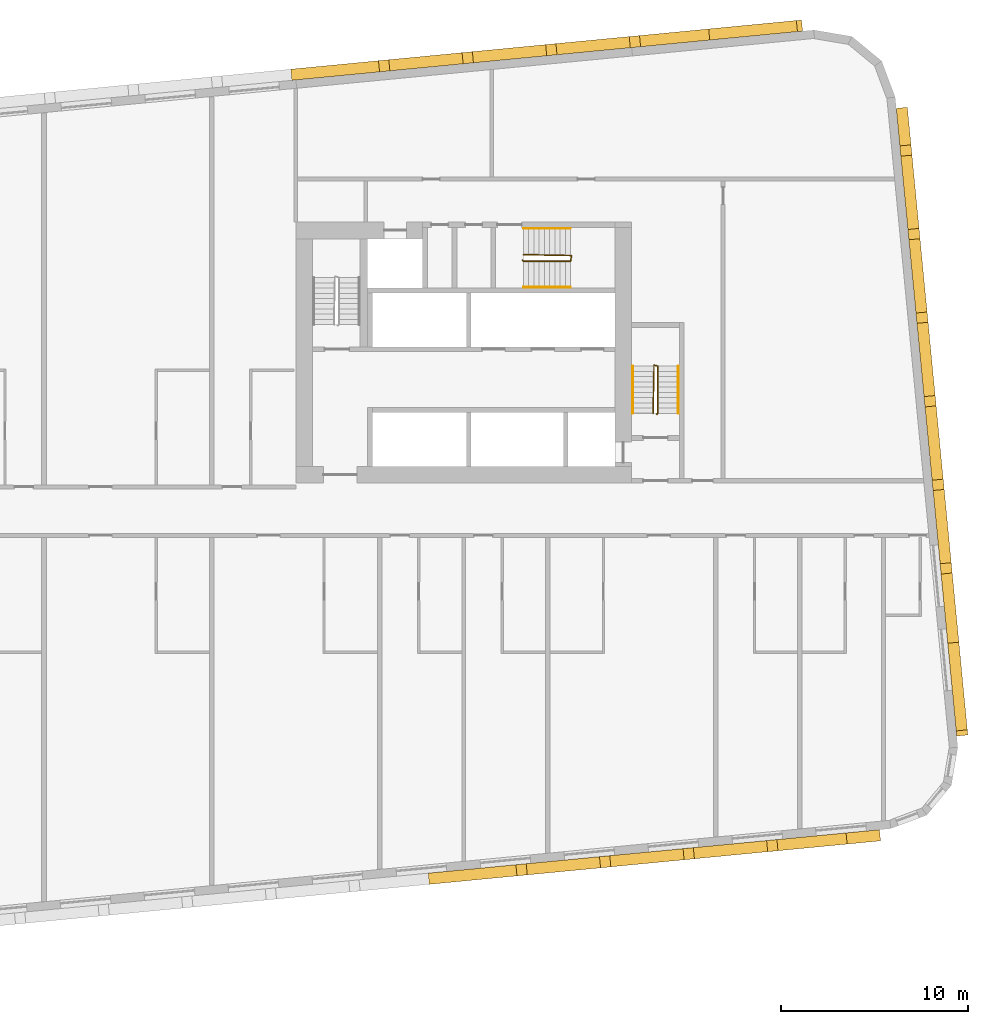
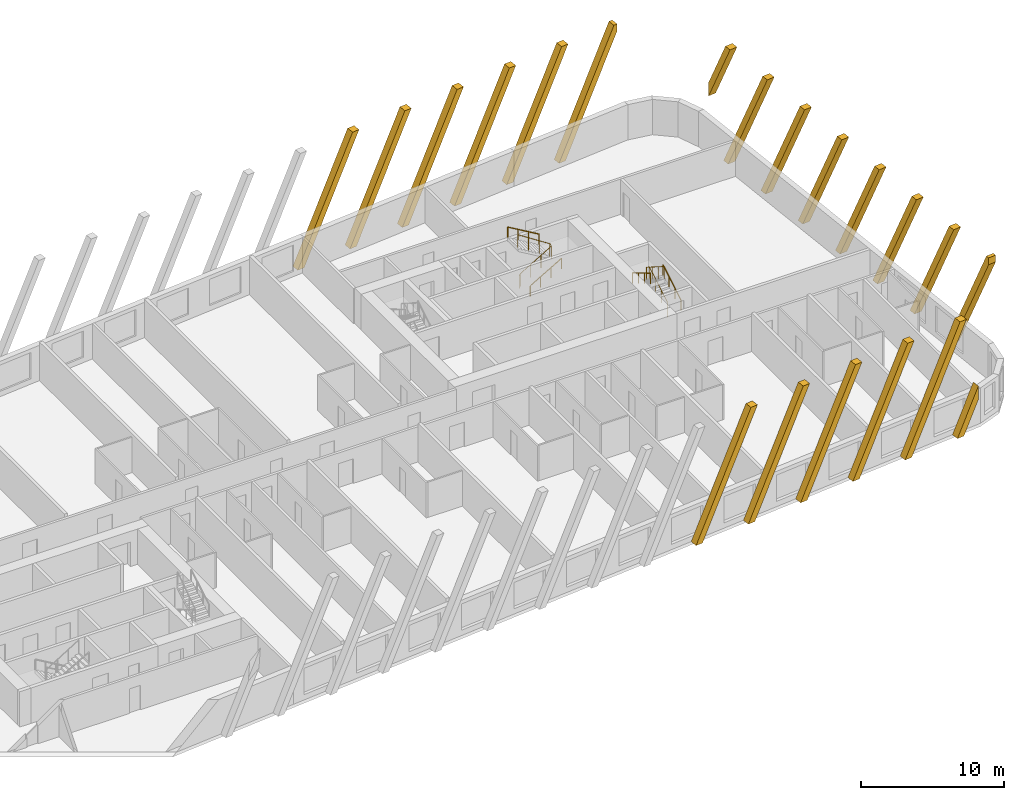
# One storey, part 13 of 13: 20 coverings, 6 railings.
"""IFC4 building model written with IfcOpenShell, lengths in metres."""

import ifcopenshell
import ifcopenshell.guid

model = None  # the IFC model being written
_history = None  # IfcOwnerHistory: only IFC2X3 demands one
_inside = {}  # id of a spatial element -> (the spatial element, [elements in it])
_under = {}  # id of a project, library or spatial element -> (it, [spatial elements below it])
_declared = {}  # id of a project -> (the project, [libraries it declares])
_typed = {}  # id of a type object -> (the type object, [elements of that type])
_made_of = {}  # id of a material, layer set ... -> (it, [elements and type objects made of it])


def new_model(schema):
    """Start an empty IFC model of exactly this schema.

    Asked for "IFC4X3", IfcOpenShell would pick the latest addendum, in which some entities
    have other attributes; the version numbers below select the first issue.
    IFC2X3 requires an IfcOwnerHistory on every rooted entity: one is made here for all.
    """
    global model, _history
    if schema == "IFC4X3":
        model = ifcopenshell.file(schema_version=(4, 3, 0, 0))
    else:
        model = ifcopenshell.file(schema=schema)
    _inside.clear()
    _under.clear()
    _declared.clear()
    _typed.clear()
    _made_of.clear()
    _history = None
    if model.schema == "IFC2X3":
        org = make("IfcOrganization", Name="unknown")
        user = make(
            "IfcPersonAndOrganization",
            ThePerson=make("IfcPerson", FamilyName="unknown"),
            TheOrganization=org,
        )
        app = make(
            "IfcApplication",
            ApplicationDeveloper=org,
            Version="unknown",
            ApplicationFullName="unknown",
            ApplicationIdentifier="unknown",
        )
        _history = make(
            "IfcOwnerHistory",
            OwningUser=user,
            OwningApplication=app,
            ChangeAction="ADDED",
            CreationDate=0,
        )
    return model


def make(cls, **values):
    """One entity of the class cls with the attributes given. An attribute that is None is left unset."""
    return model.create_entity(
        cls, **{name: value for name, value in values.items() if value is not None}
    )


def rooted(cls, **values):
    """An entity with a GlobalId (a new one), such as an element, a storey or a relation."""
    return make(cls, GlobalId=ifcopenshell.guid.new(), OwnerHistory=_history, **values)


def si_unit(unit_type, name, prefix=None):
    """IfcSIUnit, for example si_unit("LENGTHUNIT", "METRE", prefix="MILLI")."""
    return make("IfcSIUnit", UnitType=unit_type, Prefix=prefix, Name=name)


def assignment(units):
    """IfcUnitAssignment: the units of a project."""
    return None if units is None else make("IfcUnitAssignment", Units=units)


def point(xyz):
    """IfcCartesianPoint."""
    return None if xyz is None else make("IfcCartesianPoint", Coordinates=xyz)


def direction(xyz):
    """IfcDirection."""
    return None if xyz is None else make("IfcDirection", DirectionRatios=xyz)


def frame(location, z_axis=None, x_axis=None):
    """IfcAxis2Placement3D, a coordinate frame: its origin and axes. An axis left out is left unset."""
    return make(
        "IfcAxis2Placement3D",
        Location=point(location),
        Axis=direction(z_axis),
        RefDirection=direction(x_axis),
    )


def frame_2d(location, x_axis=None):
    """IfcAxis2Placement2D, a coordinate frame in the plane: its origin and x axis."""
    return make(
        "IfcAxis2Placement2D", Location=point(location), RefDirection=direction(x_axis)
    )


def origin():
    """The frame at (0, 0, 0) with its axes left unset."""
    return frame((0.0, 0.0, 0.0))


def origin_2d():
    """The frame at (0, 0) in the plane with its x axis left unset."""
    return frame_2d((0.0, 0.0))


def place(relative_to, where):
    """IfcLocalPlacement: puts the frame where relative to a parent placement (None: the world)."""
    return make(
        "IfcLocalPlacement", PlacementRelTo=relative_to, RelativePlacement=where
    )


def context(
    kind, dimensions, precision=None, world=None, true_north=None, identifier=None
):
    """IfcGeometricRepresentationContext, for example the 3D "Model" context."""
    return make(
        "IfcGeometricRepresentationContext",
        ContextIdentifier=identifier,
        ContextType=kind,
        CoordinateSpaceDimension=dimensions,
        Precision=precision,
        WorldCoordinateSystem=world,
        TrueNorth=true_north,
    )


def subcontext(parent, identifier, kind, view, scale=None):
    """IfcGeometricRepresentationSubContext, for example "Body" below "Model"."""
    return make(
        "IfcGeometricRepresentationSubContext",
        ContextIdentifier=identifier,
        ContextType=kind,
        ParentContext=parent,
        TargetScale=scale,
        TargetView=view,
    )


def project(units=None, contexts=None):
    """IfcProject with its units and contexts."""
    return rooted(
        "IfcProject",
        Name="project",
        RepresentationContexts=contexts,
        UnitsInContext=assignment(units),
    )


def spatial(cls, under=None, at=None, **own):
    """A site, building, storey or space (cls), placed at a placement, below another one or the project."""
    s = rooted(cls, ObjectPlacement=at, **own)
    if under is not None:
        _under.setdefault(under.id(), (under, []))[1].append(s)
    return s


def polyline(points):
    """IfcPolyline through the points."""
    return make("IfcPolyline", Points=[point(p) for p in points])


def profile(cls, at=None, kind="AREA", **sizes):
    """A parametric profile (cls). Its sizes go by their IFC names, for example OverallWidth=200.0."""
    return make(cls, ProfileType=kind, Position=at, **sizes)


def rectangle(**sizes):
    """IfcRectangleProfileDef."""
    return profile("IfcRectangleProfileDef", **sizes)


def circle(**sizes):
    """IfcCircleProfileDef."""
    return profile("IfcCircleProfileDef", **sizes)


def outline(outer, holes=None, kind="AREA"):
    """IfcArbitraryClosedProfileDef: a profile drawn as a closed curve; with holes, ...WithVoids."""
    if holes is None:
        return make("IfcArbitraryClosedProfileDef", ProfileType=kind, OuterCurve=outer)
    return make(
        "IfcArbitraryProfileDefWithVoids",
        ProfileType=kind,
        OuterCurve=outer,
        InnerCurves=holes,
    )


def extrude(swept, where, along, depth):
    """IfcExtrudedAreaSolid: the profile swept, set in the frame where, extruded along a direction by depth."""
    return make(
        "IfcExtrudedAreaSolid",
        SweptArea=swept,
        Position=where,
        ExtrudedDirection=direction(along),
        Depth=depth,
    )


def shape(context_of_items, identifier, shape_type, items):
    """IfcShapeRepresentation: the items that make up one representation, for example the "Body"."""
    return make(
        "IfcShapeRepresentation",
        ContextOfItems=context_of_items,
        RepresentationIdentifier=identifier,
        RepresentationType=shape_type,
        Items=items,
    )


def material(Name=None, Category=None):
    """IfcMaterial."""
    return make("IfcMaterial", Name=Name, Category=Category)


def material_profile(
    of_material, cross_section, Name=None, Category=None, Priority=None
):
    """IfcMaterialProfile: a cross section and its material."""
    return make(
        "IfcMaterialProfile",
        Name=Name,
        Material=of_material,
        Profile=cross_section,
        Priority=Priority,
        Category=Category,
    )


def profile_set(profiles, Name=None, composite=None):
    """IfcMaterialProfileSet."""
    return make(
        "IfcMaterialProfileSet",
        Name=Name,
        MaterialProfiles=profiles,
        CompositeProfile=composite,
    )


def made_of(thing, what):
    """Note that an element or type object is made of a material, layer set ...; save() writes the relation."""
    if what is not None:
        _made_of.setdefault(what.id(), (what, []))[1].append(thing)
    return thing


def type_object(cls, material=None, **own):
    """A type object (cls), such as IfcWallType, which elements share."""
    return made_of(rooted(cls, **own), material)


def element(
    cls,
    number,
    at=None,
    inside=None,
    cuts=None,
    type_object=None,
    material=None,
    context=None,
    identifier="Body",
    shape_type=None,
    held_by="IfcProductDefinitionShape",
    body=None,
    shapes=None,
    **own,
):
    """One element of the class cls, such as IfcWall. Its Tag is "e" and its number.

    at: its placement. inside: the storey or other place that contains it. cuts: it is an
    opening in that element (IfcRelVoidsElement). A single representation is given by context,
    identifier, shape_type and body (its items); several are given by shapes. held_by: the class
    of the entity that holds the representations. save() writes the other relations.
    """
    e = rooted(cls, Tag="e%d" % number, ObjectPlacement=at, **own)
    if body is not None:
        shapes = [shape(context, identifier, shape_type, body)]
    if shapes is not None:
        e.Representation = make(held_by, Representations=shapes)
    if inside is not None:
        _inside.setdefault(inside.id(), (inside, []))[1].append(e)
    if cuts is not None:
        rooted(
            "IfcRelVoidsElement", RelatingBuildingElement=cuts, RelatedOpeningElement=e
        )
    if type_object is not None:
        _typed.setdefault(type_object.id(), (type_object, []))[1].append(e)
    return made_of(e, material)


def aggregate(whole, parts):
    """IfcRelAggregates: a whole, such as a stair, and the parts it consists of."""
    return rooted("IfcRelAggregates", RelatingObject=whole, RelatedObjects=parts)


def save(model, path):
    """Write the relations noted so far, then the file.

    IfcRelAggregates (storeys below a building ...), IfcRelContainedInSpatialStructure (elements
    in a storey), IfcRelDefinesByType, IfcRelAssociatesMaterial and IfcRelDeclares: one each for
    every whole, place, type object, material and project.
    """
    for whole, parts in _under.values():
        aggregate(whole, parts)
    for where, things in _inside.values():
        rooted(
            "IfcRelContainedInSpatialStructure",
            RelatedElements=things,
            RelatingStructure=where,
        )
    for kind, things in _typed.values():
        rooted("IfcRelDefinesByType", RelatedObjects=things, RelatingType=kind)
    for what, things in _made_of.values():
        rooted("IfcRelAssociatesMaterial", RelatedObjects=things, RelatingMaterial=what)
    for by, libraries in _declared.values():
        rooted("IfcRelDeclares", RelatingContext=by, RelatedDefinitions=libraries)
    model.write(path)


model = new_model("IFC4")

# Units and contexts
model_context = context("Model", 3, precision=1e-05, world=origin(), true_north=direction((0.0, 1.0)))
body_context = subcontext(model_context, "Body", "Model", "MODEL_VIEW")
ifc_project = project(units=[si_unit("LENGTHUNIT", "METRE"), si_unit("AREAUNIT", "SQUARE_METRE"), si_unit("VOLUMEUNIT", "CUBIC_METRE"), si_unit("PLANEANGLEUNIT", "RADIAN"), si_unit("MASSUNIT", "GRAM", prefix="KILO")], contexts=[model_context])

# Site, building, storey
site_placement = place(None, origin())
site = spatial("IfcSite", under=ifc_project, at=site_placement, CompositionType="ELEMENT")
building_placement = place(site_placement, origin())
building = spatial("IfcBuilding", under=site, at=building_placement, Name="Kajstack Hotel Tower", CompositionType="ELEMENT")
storey_placement = place(building_placement, frame((0.0, 0.0, 140.5)))
storey = spatial("IfcBuildingStorey", under=building, at=storey_placement, Name="L32", CompositionType="ELEMENT", Elevation=140.5)

# Coverings
ifc_material_1 = material(Name="Terracotta", Category="masonry")
ifc_material_profile = material_profile(ifc_material_1, rectangle(XDim=0.60009765625, YDim=0.5, at=origin_2d()), Name="Terracotta-clad concrete baguette 500 x 600")
ifc_profile_set = profile_set([ifc_material_profile], Name="Terracotta")
covering_type = type_object("IfcCoveringType", Name="BAGUETTE 500x600", PredefinedType="CLADDING", material=ifc_profile_set)
for number, where, z_axis, x_axis, name in (
    (1, (20.594482421875, -19.401611328125, 0.0), (0.095634862357, -0.995416482233, 0.0), (0.995416482233, 0.095634862357, 0.0), "Baguette L32-04-051"),
    (2, (25.07373046875, -18.97021484375, 0.0), (0.095634862357, -0.995416482233, 0.0), (0.995416482233, 0.095634862357, 0.0), "Baguette L32-04-055"),
    (3, (29.552978515625, -18.5390625, 0.0), (0.095634862357, -0.995416482233, 0.0), (0.995416482233, 0.095634862357, 0.0), "Baguette L32-04-059"),
    (4, (34.0322265625, -18.107666015625, 0.0), (0.096038073607, -0.995377661201, 0.0), (0.995377661201, 0.096038073607, 0.0), "Baguette L32-04-063"),
):
    element("IfcCovering", number, at=place(storey_placement, frame(where, z_axis=z_axis, x_axis=x_axis)), inside=storey, type_object=covering_type, Name=name, PredefinedType="CLADDING", context=body_context, shape_type="SweptSolid", body=[
        extrude(outline(polyline([(4.72216796875, 9.89990234375), (0.0, 0.0), (0.553955078125, 0.0), (5.276123046875, 9.89990234375), (4.72216796875, 9.89990234375)])), origin(), (0.0, 0.0, 1.0), 0.599853515625),
    ])
covering_1_placement = place(storey_placement, frame((38.511474609375, -17.67626953125, 0.0), z_axis=(0.095999188106, -0.995381412265, 0.0), x_axis=(0.995381412265, 0.095999188106, 0.0)))
element("IfcCovering", 5, at=covering_1_placement, inside=storey, type_object=covering_type, Name="Baguette L32-04-067", PredefinedType="CLADDING", context=body_context, shape_type="SweptSolid", body=[
    extrude(outline(polyline([(4.72216796875, 9.89990234375), (0.0, 0.0), (0.553955078125, 0.0), (5.276123046875, 9.89990234375), (4.72216796875, 9.89990234375)])), origin(), (0.0, 0.0, 1.0), 0.60009765625),
])
covering_2_placement = place(storey_placement, frame((42.99072265625, -17.2451171875, 0.0), z_axis=(0.096038073607, -0.995377661201, 0.0), x_axis=(0.995377661201, 0.096038073607, 0.0)))
element("IfcCovering", 6, at=covering_2_placement, inside=storey, type_object=covering_type, Name="Baguette L32-04-071", PredefinedType="CLADDING", context=body_context, shape_type="SweptSolid", body=[
    extrude(outline(polyline([(0.553955078125, 0.0), (1.799072265625, 2.6103515625), (1.799072265625, 3.771728515625), (0.0, 0.0), (0.553955078125, 0.0)])), origin(), (0.0, 0.0, 1.0), 0.599853515625),
])
covering_3_placement = place(storey_placement, frame((48.91943359375, -12.052978515625, 0.0), z_axis=(0.995381412265, 0.095999188106, 0.0), x_axis=(-0.095999188106, 0.995381412265, 0.0)))
element("IfcCovering", 7, at=covering_3_placement, inside=storey, type_object=covering_type, Name="Baguette L32-08-003", PredefinedType="CLADDING", context=body_context, shape_type="SweptSolid", body=[
    extrude(outline(polyline([(0.277099609375, 9.89990234375), (0.0, 9.89990234375), (0.0, 9.3193359375), (4.445068359375, 0.0), (4.9990234375, 0.0), (0.277099609375, 9.89990234375)])), origin(), (0.0, 0.0, 1.0), 0.60009765625),
])
covering_4_placement = place(storey_placement, frame((48.5146484375, -7.849365234375, 0.0), z_axis=(0.995381412265, 0.095999188106, 0.0), x_axis=(-0.095999188106, 0.995381412265, 0.0)))
element("IfcCovering", 8, at=covering_4_placement, inside=storey, type_object=covering_type, Name="Baguette L32-08-007", PredefinedType="CLADDING", context=body_context, shape_type="SweptSolid", body=[
    extrude(outline(polyline([(0.0, 9.89990234375), (4.72216796875, 0.0), (5.276123046875, 0.0), (0.553955078125, 9.89990234375), (0.0, 9.89990234375)])), origin(), (0.0, 0.0, 1.0), 0.60009765625),
])
for number, where, z_axis, x_axis, name in (
    (9, (48.08349609375, -3.369873046875, 0.0), (0.995416482233, 0.095634862357, 0.0), (-0.095634862357, 0.995416482233, 0.0), "Baguette L32-08-011"),
    (10, (47.652099609375, 1.109375, 0.0), (0.995416482233, 0.095634862357, 0.0), (-0.095634862357, 0.995416482233, 0.0), "Baguette L32-08-015"),
):
    element("IfcCovering", number, at=place(storey_placement, frame(where, z_axis=z_axis, x_axis=x_axis)), inside=storey, type_object=covering_type, Name=name, PredefinedType="CLADDING", context=body_context, shape_type="SweptSolid", body=[
        extrude(outline(polyline([(0.0, 9.89990234375), (4.72216796875, 0.0), (5.276123046875, 0.0), (0.553955078125, 9.89990234375), (0.0, 9.89990234375)])), origin(), (0.0, 0.0, 1.0), 0.599853515625),
    ])
covering_5_placement = place(storey_placement, frame((47.220703125, 5.588623046875, 0.0), z_axis=(0.995420202011, 0.095596137095, 0.0), x_axis=(-0.095596137095, 0.995420202011, 0.0)))
element("IfcCovering", 11, at=covering_5_placement, inside=storey, type_object=covering_type, Name="Baguette L32-08-019", PredefinedType="CLADDING", context=body_context, shape_type="SweptSolid", body=[
    extrude(outline(polyline([(0.0, 9.89990234375), (4.72216796875, 0.0), (5.276123046875, 0.0), (0.553955078125, 9.89990234375), (0.0, 9.89990234375)])), origin(), (0.0, 0.0, 1.0), 0.60009765625),
])
for number, where, z_axis, x_axis, name in (
    (12, (46.78955078125, 10.06787109375, 0.0), (0.995377661201, 0.096038073607, 0.0), (-0.096038073607, 0.995377661201, 0.0), "Baguette L32-08-023"),
    (13, (46.358154296875, 14.547119140625, 0.0), (0.995377661201, 0.096038073607, 0.0), (-0.096038073607, 0.995377661201, 0.0), "Baguette L32-08-027"),
):
    element("IfcCovering", number, at=place(storey_placement, frame(where, z_axis=z_axis, x_axis=x_axis)), inside=storey, type_object=covering_type, Name=name, PredefinedType="CLADDING", context=body_context, shape_type="SweptSolid", body=[
        extrude(outline(polyline([(0.0, 9.89990234375), (4.72216796875, 0.0), (5.276123046875, 0.0), (0.553955078125, 9.89990234375), (0.0, 9.89990234375)])), origin(), (0.0, 0.0, 1.0), 0.599853515625),
    ])
covering_6_placement = place(storey_placement, frame((45.927001953125, 19.0263671875, 0.0), z_axis=(0.995377661201, 0.096038073607, 0.0), x_axis=(-0.096038073607, 0.995377661201, 0.0)))
element("IfcCovering", 14, at=covering_6_placement, inside=storey, type_object=covering_type, Name="Baguette L32-08-031", PredefinedType="CLADDING", context=body_context, shape_type="SweptSolid", body=[
    extrude(outline(polyline([(0.0, 9.89990234375), (2.576904296875, 4.49755859375), (2.576904296875, 5.658935546875), (0.553955078125, 9.89990234375), (0.0, 9.89990234375)])), origin(), (0.0, 0.0, 1.0), 0.599853515625),
])
covering_7_placement = place(storey_placement, frame((40.66015625, 25.7294921875, 0.0), z_axis=(-0.095634862357, 0.995416482233, 0.0), x_axis=(-0.995416482233, -0.095634862357, 0.0)))
element("IfcCovering", 15, at=covering_7_placement, inside=storey, type_object=covering_type, Name="Baguette L32-12-003", PredefinedType="CLADDING", context=body_context, shape_type="SweptSolid", body=[
    extrude(outline(polyline([(0.277099609375, 9.89990234375), (0.0, 9.89990234375), (0.0, 9.3193359375), (4.445068359375, 0.0), (4.9990234375, 0.0), (0.277099609375, 9.89990234375)])), origin(), (0.0, 0.0, 1.0), 0.599853515625),
])
for number, where, z_axis, x_axis, name in (
    (16, (36.456787109375, 25.32470703125, 0.0), (-0.096038073607, 0.995377661201, 0.0), (-0.995377661201, -0.096038073607, 0.0), "Baguette L32-12-007"),
    (17, (31.977294921875, 24.893310546875, 0.0), (-0.095634862357, 0.995416482233, 0.0), (-0.995416482233, -0.095634862357, 0.0), "Baguette L32-12-011"),
):
    element("IfcCovering", number, at=place(storey_placement, frame(where, z_axis=z_axis, x_axis=x_axis)), inside=storey, type_object=covering_type, Name=name, PredefinedType="CLADDING", context=body_context, shape_type="SweptSolid", body=[
        extrude(outline(polyline([(0.0, 9.89990234375), (4.72216796875, 0.0), (5.276123046875, 0.0), (0.553955078125, 9.89990234375), (0.0, 9.89990234375)])), origin(), (0.0, 0.0, 1.0), 0.599853515625),
    ])
covering_8_placement = place(storey_placement, frame((27.498046875, 24.4619140625, 0.0), z_axis=(-0.095596137095, 0.995420202011, 0.0), x_axis=(-0.995420202011, -0.095596137095, 0.0)))
element("IfcCovering", 18, at=covering_8_placement, inside=storey, type_object=covering_type, Name="Baguette L32-12-015", PredefinedType="CLADDING", context=body_context, shape_type="SweptSolid", body=[
    extrude(outline(polyline([(0.0, 9.89990234375), (4.72216796875, 0.0), (5.276123046875, 0.0), (0.553955078125, 9.89990234375), (0.0, 9.89990234375)])), origin(), (0.0, 0.0, 1.0), 0.60009765625),
])
for number, where, z_axis, x_axis, name in (
    (19, (23.018798828125, 24.03076171875, 0.0), (-0.095634862357, 0.995416482233, 0.0), (-0.995416482233, -0.095634862357, 0.0), "Baguette L32-12-019"),
    (20, (18.53955078125, 23.599365234375, 0.0), (-0.096038073607, 0.995377661201, 0.0), (-0.995377661201, -0.096038073607, 0.0), "Baguette L32-12-023"),
):
    element("IfcCovering", number, at=place(storey_placement, frame(where, z_axis=z_axis, x_axis=x_axis)), inside=storey, type_object=covering_type, Name=name, PredefinedType="CLADDING", context=body_context, shape_type="SweptSolid", body=[
        extrude(outline(polyline([(0.0, 9.89990234375), (4.72216796875, 0.0), (5.276123046875, 0.0), (0.553955078125, 9.89990234375), (0.0, 9.89990234375)])), origin(), (0.0, 0.0, 1.0), 0.599853515625),
    ])

# Railings
ifc_material_2 = material(Name="Steel S355J2", Category="steel")
railing_type_1 = type_object("IfcRailingType", Name="Stair guard 1100", PredefinedType="GUARDRAIL", material=ifc_material_2)
railing_1_placement = place(storey_placement, frame((32.85009765625, 5.199951171875, 0.0)))
element("IfcRailing", 21, at=railing_1_placement, inside=storey, type_object=railing_type_1, Name="L32 E1 stair guard 1", PredefinedType="GUARDRAIL", context=body_context, shape_type="SweptSolid", body=[
    extrude(circle(Radius=0.02392578125, at=origin_2d()), frame((0.0, 0.0, 1.076171875), z_axis=(0.277450376394, 0.278810427259, 0.919394384522), x_axis=(-0.708833529934, 0.705375805398, 0.0)), (0.0, 0.0, 1.0), 0.179443359375),
    extrude(circle(Radius=0.02392578125, at=origin_2d()), frame((0.0498046875, 0.050048828125, 1.2412109375), z_axis=(0.0, 0.861560626758, 0.507654692109), x_axis=(-1.0, 0.0, 0.0)), (0.0, 0.0, 1.0), 2.925048828125),
    extrude(circle(Radius=0.02392578125, at=origin_2d()), frame((0.0498046875, 2.570068359375, 2.72607421875), z_axis=(-0.970072785993, 0.242814311512, 0.0), x_axis=(-0.242814311512, -0.970072785993, 0.0)), (0.0, 0.0, 1.0), 0.2060546875),
    extrude(circle(Radius=0.02392578125, at=origin_2d()), frame((-0.150146484375, 2.6201171875, 2.72607421875), z_axis=(-0.016384601254, -0.84136925563, 0.540212292087), x_axis=(0.999810440751, -0.019470042781, 0.0)), (0.0, 0.0, 1.0), 3.0546875),
    extrude(circle(Radius=0.02099609375, at=origin_2d()), origin(), (0.0, 0.0, 1.0), 1.052001953125),
    extrude(circle(Radius=0.02099609375, at=origin_2d()), frame((0.0498046875, 0.050048828125, 0.1650390625)), (0.0, 0.0, 1.0), 1.052001953125),
    extrude(circle(Radius=0.02099609375, at=origin_2d()), frame((0.0498046875, 0.89013671875, 0.659912109375)), (0.0, 0.0, 1.0), 1.052001953125),
    extrude(circle(Radius=0.02099609375, at=origin_2d()), frame((0.0498046875, 1.72998046875, 1.155029296875)), (0.0, 0.0, 1.0), 1.052001953125),
    extrude(circle(Radius=0.02099609375, at=origin_2d()), frame((0.0498046875, 2.570068359375, 1.64990234375)), (0.0, 0.0, 1.0), 1.052001953125),
    extrude(circle(Radius=0.02099609375, at=origin_2d()), frame((-0.150146484375, 2.6201171875, 1.64990234375)), (0.0, 0.0, 1.0), 1.052001953125),
    extrude(circle(Radius=0.02099609375, at=origin_2d()), frame((-0.166748046875, 1.763427734375, 2.199951171875)), (0.0, 0.0, 1.0), 1.052001953125),
    extrude(circle(Radius=0.02099609375, at=origin_2d()), frame((-0.18359375, 0.90673828125, 2.75)), (0.0, 0.0, 1.0), 1.052001953125),
    extrude(circle(Radius=0.02099609375, at=origin_2d()), frame((-0.2001953125, 0.050048828125, 3.300048828125)), (0.0, 0.0, 1.0), 1.052001953125),
])
railing_2_placement = place(storey_placement, frame((25.64990234375, 13.449951171875, 0.0)))
element("IfcRailing", 22, at=railing_2_placement, inside=storey, type_object=railing_type_1, Name="L32 E3 stair guard 1", PredefinedType="GUARDRAIL", context=body_context, shape_type="SweptSolid", body=[
    extrude(circle(Radius=0.02392578125, at=origin_2d()), frame((0.0, 0.0, 1.076171875), z_axis=(0.278705021027, -0.278705021027, 0.919046801044), x_axis=(0.707106781187, 0.707106781187, 0.0)), (0.0, 0.0, 1.0), 0.1796875),
    extrude(circle(Radius=0.02392578125, at=origin_2d()), frame((0.050048828125, -0.050048828125, 1.2412109375), z_axis=(0.861560626758, 0.0, 0.507654692109), x_axis=(0.0, 1.0, 0.0)), (0.0, 0.0, 1.0), 2.925048828125),
    extrude(circle(Radius=0.02392578125, at=origin_2d()), frame((2.570068359375, -0.050048828125, 2.72607421875), z_axis=(0.164529134168, 0.986372223864, 0.0), x_axis=(-0.986372223864, 0.164529134168, 0.0)), (0.0, 0.0, 1.0), 0.30419921875),
    extrude(circle(Radius=0.02392578125, at=origin_2d()), frame((2.6201171875, 0.25, 2.72607421875), z_axis=(-0.84136925563, 0.016384601254, 0.540212292087), x_axis=(-0.019470042781, -0.999810440751, 0.0)), (0.0, 0.0, 1.0), 3.0546875),
    extrude(circle(Radius=0.02099609375, at=origin_2d()), origin(), (0.0, 0.0, 1.0), 1.052001953125),
    extrude(circle(Radius=0.02099609375, at=origin_2d()), frame((0.050048828125, -0.050048828125, 0.1650390625)), (0.0, 0.0, 1.0), 1.052001953125),
    extrude(circle(Radius=0.02099609375, at=origin_2d()), frame((0.89013671875, -0.050048828125, 0.659912109375)), (0.0, 0.0, 1.0), 1.052001953125),
    extrude(circle(Radius=0.02099609375, at=origin_2d()), frame((1.72998046875, -0.050048828125, 1.155029296875)), (0.0, 0.0, 1.0), 1.052001953125),
    extrude(circle(Radius=0.02099609375, at=origin_2d()), frame((2.570068359375, -0.050048828125, 1.64990234375)), (0.0, 0.0, 1.0), 1.052001953125),
    extrude(circle(Radius=0.02099609375, at=origin_2d()), frame((2.6201171875, 0.25, 1.64990234375)), (0.0, 0.0, 1.0), 1.052001953125),
    extrude(circle(Radius=0.02099609375, at=origin_2d()), frame((1.763427734375, 0.2666015625, 2.199951171875)), (0.0, 0.0, 1.0), 1.052001953125),
    extrude(circle(Radius=0.02099609375, at=origin_2d()), frame((0.90673828125, 0.283447265625, 2.75)), (0.0, 0.0, 1.0), 1.052001953125),
    extrude(circle(Radius=0.02099609375, at=origin_2d()), frame((0.050048828125, 0.300048828125, 3.300048828125)), (0.0, 0.0, 1.0), 1.052001953125),
])
railing_type_2 = type_object("IfcRailingType", Name="Stair handrail 900", PredefinedType="HANDRAIL", material=ifc_material_2)
railing_3_placement = place(storey_placement, frame((34.0, 5.25, 0.1650390625)))
element("IfcRailing", 23, at=railing_3_placement, inside=storey, type_object=railing_type_2, Name="L32 E1 stair handrail 1", PredefinedType="HANDRAIL", context=body_context, shape_type="SweptSolid", body=[
    extrude(circle(Radius=0.02392578125, at=origin_2d()), frame((0.0, 0.0, 0.8759765625), z_axis=(0.0, 0.861560626758, 0.507654692109), x_axis=(-1.0, 0.0, 0.0)), (0.0, 0.0, 1.0), 2.925048828125),
    extrude(circle(Radius=0.02099609375, at=origin_2d()), origin(), (0.0, 0.0, 1.0), 0.851806640625),
    extrude(circle(Radius=0.02099609375, at=origin_2d()), frame((0.0, 0.840087890625, 0.494873046875)), (0.0, 0.0, 1.0), 0.851806640625),
    extrude(circle(Radius=0.02099609375, at=origin_2d()), frame((0.0, 1.679931640625, 0.989990234375)), (0.0, 0.0, 1.0), 0.851806640625),
    extrude(circle(Radius=0.02099609375, at=origin_2d()), frame((0.0, 2.52001953125, 1.48486328125)), (0.0, 0.0, 1.0), 0.851806640625),
])
railing_4_placement = place(storey_placement, frame((31.550048828125, 7.77001953125, 1.81494140625)))
element("IfcRailing", 24, at=railing_4_placement, inside=storey, type_object=railing_type_2, Name="L32 E1 stair handrail 2", PredefinedType="HANDRAIL", context=body_context, shape_type="SweptSolid", body=[
    extrude(circle(Radius=0.02392578125, at=origin_2d()), frame((0.0, 0.0, 0.8759765625), z_axis=(0.0, -0.86152411907, 0.507716645641), x_axis=(1.0, 0.0, 0.0)), (0.0, 0.0, 1.0), 2.925048828125),
    extrude(circle(Radius=0.02099609375, at=origin_2d()), origin(), (0.0, 0.0, 1.0), 0.851806640625),
    extrude(circle(Radius=0.02099609375, at=origin_2d()), frame((0.0, -0.840087890625, 0.4951171875)), (0.0, 0.0, 1.0), 0.851806640625),
    extrude(circle(Radius=0.02099609375, at=origin_2d()), frame((0.0, -1.679931640625, 0.989990234375)), (0.0, 0.0, 1.0), 0.851806640625),
    extrude(circle(Radius=0.02099609375, at=origin_2d()), frame((0.0, -2.52001953125, 1.485107421875)), (0.0, 0.0, 1.0), 0.851806640625),
])
railing_5_placement = place(storey_placement, frame((25.699951171875, 12.0, 0.1650390625)))
element("IfcRailing", 25, at=railing_5_placement, inside=storey, type_object=railing_type_2, Name="L32 E3 stair handrail 1", PredefinedType="HANDRAIL", context=body_context, shape_type="SweptSolid", body=[
    extrude(circle(Radius=0.02392578125, at=origin_2d()), frame((0.0, 0.0, 0.8759765625), z_axis=(0.861560626758, 0.0, 0.507654692109), x_axis=(0.0, 1.0, 0.0)), (0.0, 0.0, 1.0), 2.925048828125),
    extrude(circle(Radius=0.02099609375, at=origin_2d()), origin(), (0.0, 0.0, 1.0), 0.851806640625),
    extrude(circle(Radius=0.02099609375, at=origin_2d()), frame((0.840087890625, 0.0, 0.494873046875)), (0.0, 0.0, 1.0), 0.851806640625),
    extrude(circle(Radius=0.02099609375, at=origin_2d()), frame((1.679931640625, 0.0, 0.989990234375)), (0.0, 0.0, 1.0), 0.851806640625),
    extrude(circle(Radius=0.02099609375, at=origin_2d()), frame((2.52001953125, 0.0, 1.48486328125)), (0.0, 0.0, 1.0), 0.851806640625),
])
railing_6_placement = place(storey_placement, frame((28.219970703125, 15.14990234375, 1.81494140625)))
element("IfcRailing", 26, at=railing_6_placement, inside=storey, type_object=railing_type_2, Name="L32 E3 stair handrail 2", PredefinedType="HANDRAIL", context=body_context, shape_type="SweptSolid", body=[
    extrude(circle(Radius=0.02392578125, at=origin_2d()), frame((0.0, 0.0, 0.8759765625), z_axis=(-0.86152411907, 0.0, 0.507716645641), x_axis=(0.0, -1.0, 0.0)), (0.0, 0.0, 1.0), 2.925048828125),
    extrude(circle(Radius=0.02099609375, at=origin_2d()), origin(), (0.0, 0.0, 1.0), 0.851806640625),
    extrude(circle(Radius=0.02099609375, at=origin_2d()), frame((-0.840087890625, 0.0, 0.4951171875)), (0.0, 0.0, 1.0), 0.851806640625),
    extrude(circle(Radius=0.02099609375, at=origin_2d()), frame((-1.679931640625, 0.0, 0.989990234375)), (0.0, 0.0, 1.0), 0.851806640625),
    extrude(circle(Radius=0.02099609375, at=origin_2d()), frame((-2.52001953125, 0.0, 1.485107421875)), (0.0, 0.0, 1.0), 0.851806640625),
])

save(model, "model.ifc")
